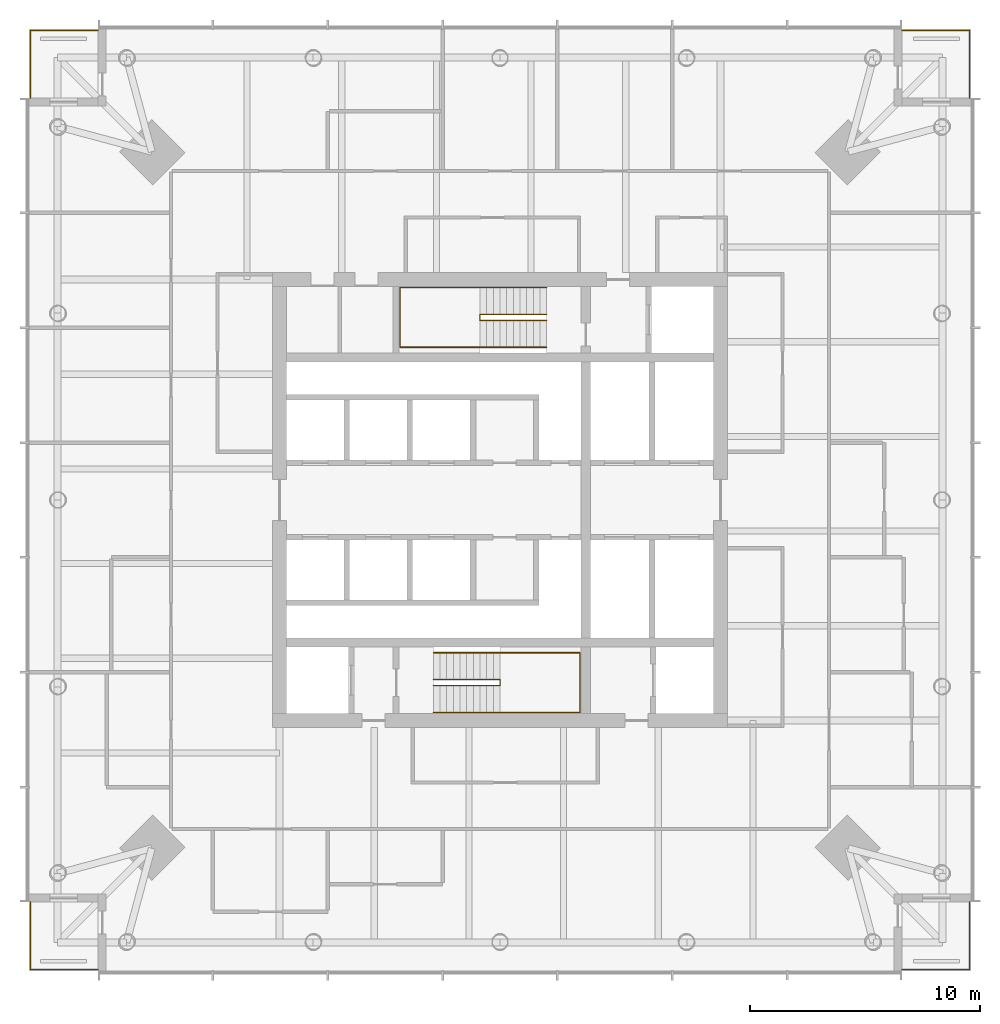
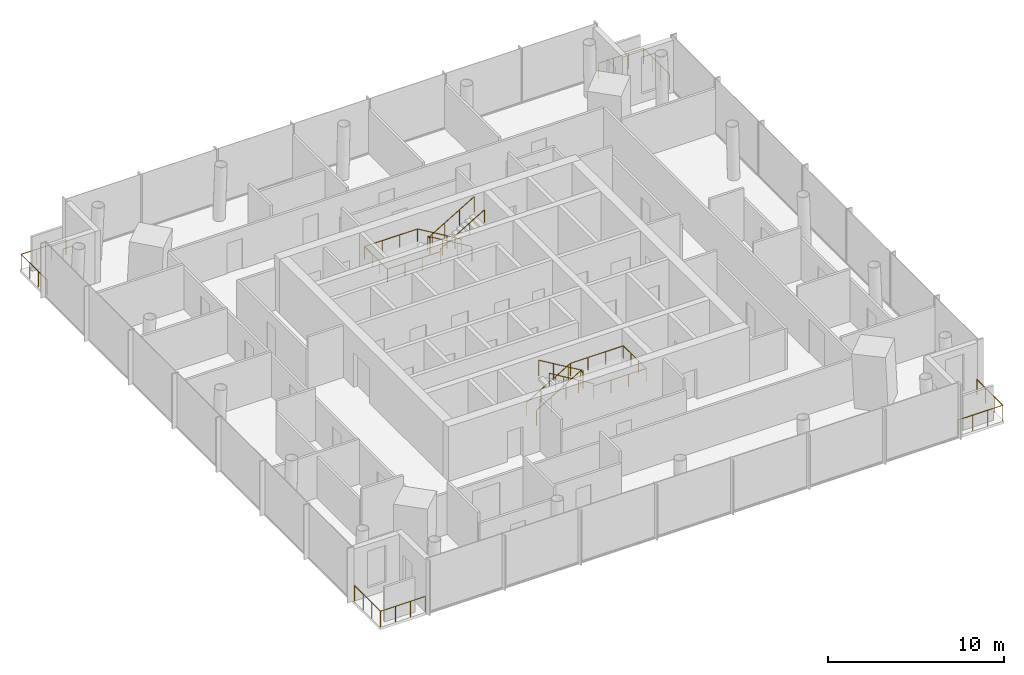
# One storey, part 8 of 8: 8 railings.
"""IFC4 building model written with IfcOpenShell, lengths in metres."""

from ifc_helpers import new_model, si_unit, direction, frame, origin, origin_2d, place, context, subcontext, project, spatial, circle, extrude, material, type_object, element, save


model = new_model("IFC4")

# Units and contexts
model_context = context("Model", 3, precision=1e-05, world=origin(), true_north=direction((0.0, 1.0)))
body_context = subcontext(model_context, "Body", "Model", "MODEL_VIEW")
ifc_project = project(units=[si_unit("LENGTHUNIT", "METRE"), si_unit("AREAUNIT", "SQUARE_METRE"), si_unit("VOLUMEUNIT", "CUBIC_METRE"), si_unit("PLANEANGLEUNIT", "RADIAN"), si_unit("MASSUNIT", "GRAM", prefix="KILO")], contexts=[model_context])

# Site, building, storey
site_placement = place(None, origin())
site = spatial("IfcSite", under=ifc_project, at=site_placement, CompositionType="ELEMENT")
building_placement = place(site_placement, origin())
building = spatial("IfcBuilding", under=site, at=building_placement, Name="Ostroluk Exchange", CompositionType="ELEMENT")
storey_placement = place(building_placement, frame((0.0, 0.0, 169.199951171875)))
storey = spatial("IfcBuildingStorey", under=building, at=storey_placement, Name="L43", CompositionType="ELEMENT", Elevation=169.199951171875)

# Railings
ifc_material_1 = material(Name="Stainless steel", Category="steel")
railing_type_1 = type_object("IfcRailingType", Name="Guard 1100 stainless steel", PredefinedType="GUARDRAIL", material=ifc_material_1)
railing_1_placement = place(storey_placement, frame((62.5, 25.550048828125, 0.0)))
element("IfcRailing", 1, at=railing_1_placement, inside=storey, type_object=railing_type_1, Name="Office tower SE balcony guard L43", PredefinedType="GUARDRAIL", context=body_context, shape_type="SweptSolid", body=[
    extrude(circle(Radius=0.02392578125, at=origin_2d()), frame((0.0, 0.0, 1.076171875), z_axis=(1.0, 0.0, 0.0), x_axis=(0.0, 1.0, 0.0)), (0.0, 0.0, 1.0), 2.949951171875),
    extrude(circle(Radius=0.02392578125, at=origin_2d()), frame((2.949951171875, 0.0, 1.076171875), z_axis=(0.0, 1.0, 0.0), x_axis=(-1.0, 0.0, 0.0)), (0.0, 0.0, 1.0), 2.949951171875),
    extrude(circle(Radius=0.02099609375, at=origin_2d()), origin(), (0.0, 0.0, 1.0), 1.052001953125),
    extrude(circle(Radius=0.02099609375, at=origin_2d()), frame((0.9833984375, 0.0, 0.0)), (0.0, 0.0, 1.0), 1.052001953125),
    extrude(circle(Radius=0.02099609375, at=origin_2d()), frame((1.966552734375, 0.0, 0.0)), (0.0, 0.0, 1.0), 1.052001953125),
    extrude(circle(Radius=0.02099609375, at=origin_2d()), frame((2.949951171875, 0.0, 0.0)), (0.0, 0.0, 1.0), 1.052001953125),
    extrude(circle(Radius=0.02099609375, at=origin_2d()), frame((2.949951171875, 0.9833984375, 0.0)), (0.0, 0.0, 1.0), 1.052001953125),
    extrude(circle(Radius=0.02099609375, at=origin_2d()), frame((2.949951171875, 1.966552734375, 0.0)), (0.0, 0.0, 1.0), 1.052001953125),
    extrude(circle(Radius=0.02099609375, at=origin_2d()), frame((2.949951171875, 2.949951171875, 0.0)), (0.0, 0.0, 1.0), 1.052001953125),
])
railing_2_placement = place(storey_placement, frame((62.5, 66.449951171875, 0.0)))
element("IfcRailing", 2, at=railing_2_placement, inside=storey, type_object=railing_type_1, Name="Office tower NE balcony guard L43", PredefinedType="GUARDRAIL", context=body_context, shape_type="SweptSolid", body=[
    extrude(circle(Radius=0.02392578125, at=origin_2d()), frame((0.0, 0.0, 1.076171875), z_axis=(1.0, 0.0, 0.0), x_axis=(0.0, 1.0, 0.0)), (0.0, 0.0, 1.0), 2.949951171875),
    extrude(circle(Radius=0.02392578125, at=origin_2d()), frame((2.949951171875, 0.0, 1.076171875), z_axis=(0.0, -1.0, 0.0), x_axis=(1.0, 0.0, 0.0)), (0.0, 0.0, 1.0), 2.949951171875),
    extrude(circle(Radius=0.02099609375, at=origin_2d()), origin(), (0.0, 0.0, 1.0), 1.052001953125),
    extrude(circle(Radius=0.02099609375, at=origin_2d()), frame((0.9833984375, 0.0, 0.0)), (0.0, 0.0, 1.0), 1.052001953125),
    extrude(circle(Radius=0.02099609375, at=origin_2d()), frame((1.966552734375, 0.0, 0.0)), (0.0, 0.0, 1.0), 1.052001953125),
    extrude(circle(Radius=0.02099609375, at=origin_2d()), frame((2.949951171875, 0.0, 0.0)), (0.0, 0.0, 1.0), 1.052001953125),
    extrude(circle(Radius=0.02099609375, at=origin_2d()), frame((2.949951171875, -0.9833984375, 0.0)), (0.0, 0.0, 1.0), 1.052001953125),
    extrude(circle(Radius=0.02099609375, at=origin_2d()), frame((2.949951171875, -1.966552734375, 0.0)), (0.0, 0.0, 1.0), 1.052001953125),
    extrude(circle(Radius=0.02099609375, at=origin_2d()), frame((2.949951171875, -2.949951171875, 0.0)), (0.0, 0.0, 1.0), 1.052001953125),
])
railing_3_placement = place(storey_placement, frame((27.5, 66.449951171875, 0.0)))
element("IfcRailing", 3, at=railing_3_placement, inside=storey, type_object=railing_type_1, Name="Office tower NW balcony guard L43", PredefinedType="GUARDRAIL", context=body_context, shape_type="SweptSolid", body=[
    extrude(circle(Radius=0.02392578125, at=origin_2d()), frame((0.0, 0.0, 1.076171875), z_axis=(-1.0, 0.0, 0.0), x_axis=(0.0, -1.0, 0.0)), (0.0, 0.0, 1.0), 2.949951171875),
    extrude(circle(Radius=0.02392578125, at=origin_2d()), frame((-2.949951171875, 0.0, 1.076171875), z_axis=(0.0, -1.0, 0.0), x_axis=(1.0, 0.0, 0.0)), (0.0, 0.0, 1.0), 2.949951171875),
    extrude(circle(Radius=0.02099609375, at=origin_2d()), origin(), (0.0, 0.0, 1.0), 1.052001953125),
    extrude(circle(Radius=0.02099609375, at=origin_2d()), frame((-0.9833984375, 0.0, 0.0)), (0.0, 0.0, 1.0), 1.052001953125),
    extrude(circle(Radius=0.02099609375, at=origin_2d()), frame((-1.966552734375, 0.0, 0.0)), (0.0, 0.0, 1.0), 1.052001953125),
    extrude(circle(Radius=0.02099609375, at=origin_2d()), frame((-2.949951171875, 0.0, 0.0)), (0.0, 0.0, 1.0), 1.052001953125),
    extrude(circle(Radius=0.02099609375, at=origin_2d()), frame((-2.949951171875, -0.9833984375, 0.0)), (0.0, 0.0, 1.0), 1.052001953125),
    extrude(circle(Radius=0.02099609375, at=origin_2d()), frame((-2.949951171875, -1.966552734375, 0.0)), (0.0, 0.0, 1.0), 1.052001953125),
    extrude(circle(Radius=0.02099609375, at=origin_2d()), frame((-2.949951171875, -2.949951171875, 0.0)), (0.0, 0.0, 1.0), 1.052001953125),
])
railing_4_placement = place(storey_placement, frame((27.5, 25.550048828125, 0.0)))
element("IfcRailing", 4, at=railing_4_placement, inside=storey, type_object=railing_type_1, Name="Office tower SW balcony guard L43", PredefinedType="GUARDRAIL", context=body_context, shape_type="SweptSolid", body=[
    extrude(circle(Radius=0.02392578125, at=origin_2d()), frame((0.0, 0.0, 1.076171875), z_axis=(-1.0, 0.0, 0.0), x_axis=(0.0, -1.0, 0.0)), (0.0, 0.0, 1.0), 2.949951171875),
    extrude(circle(Radius=0.02392578125, at=origin_2d()), frame((-2.949951171875, 0.0, 1.076171875), z_axis=(0.0, 1.0, 0.0), x_axis=(-1.0, 0.0, 0.0)), (0.0, 0.0, 1.0), 2.949951171875),
    extrude(circle(Radius=0.02099609375, at=origin_2d()), origin(), (0.0, 0.0, 1.0), 1.052001953125),
    extrude(circle(Radius=0.02099609375, at=origin_2d()), frame((-0.9833984375, 0.0, 0.0)), (0.0, 0.0, 1.0), 1.052001953125),
    extrude(circle(Radius=0.02099609375, at=origin_2d()), frame((-1.966552734375, 0.0, 0.0)), (0.0, 0.0, 1.0), 1.052001953125),
    extrude(circle(Radius=0.02099609375, at=origin_2d()), frame((-2.949951171875, 0.0, 0.0)), (0.0, 0.0, 1.0), 1.052001953125),
    extrude(circle(Radius=0.02099609375, at=origin_2d()), frame((-2.949951171875, 0.9833984375, 0.0)), (0.0, 0.0, 1.0), 1.052001953125),
    extrude(circle(Radius=0.02099609375, at=origin_2d()), frame((-2.949951171875, 1.966552734375, 0.0)), (0.0, 0.0, 1.0), 1.052001953125),
    extrude(circle(Radius=0.02099609375, at=origin_2d()), frame((-2.949951171875, 2.949951171875, 0.0)), (0.0, 0.0, 1.0), 1.052001953125),
])
ifc_material_2 = material(Name="Steel S355", Category="steel")
railing_type_2 = type_object("IfcRailingType", Name="Stair guard 1100", PredefinedType="GUARDRAIL", material=ifc_material_2)
railing_5_placement = place(storey_placement, frame((42.10009765625, 38.179931640625, 0.1728515625)))
element("IfcRailing", 5, at=railing_5_placement, inside=storey, type_object=railing_type_2, Name="Stair T1-S1 guard L43", PredefinedType="GUARDRAIL", context=body_context, shape_type="SweptSolid", body=[
    extrude(circle(Radius=0.02392578125, at=origin_2d()), frame((0.0, 0.0, 1.076171875), z_axis=(0.859141464434, 0.0, 0.511738159696), x_axis=(0.0, 1.0, 0.0)), (0.0, 0.0, 1.0), 3.375244140625),
    extrude(circle(Radius=0.02392578125, at=origin_2d()), frame((2.89990234375, 0.0, 2.80322265625), z_axis=(0.0, -1.0, 0.0), x_axis=(1.0, 0.0, 0.0)), (0.0, 0.0, 1.0), 0.260009765625),
    extrude(circle(Radius=0.02392578125, at=origin_2d()), frame((2.89990234375, -0.260009765625, 2.80322265625), z_axis=(0.0, 0.0, 1.0), x_axis=(1.0, 0.0, 0.0)), (0.0, 0.0, 1.0), 0.172607421875),
    extrude(circle(Radius=0.02392578125, at=origin_2d()), frame((2.89990234375, -0.260009765625, 2.97607421875), z_axis=(-0.859141464434, 0.0, 0.511738159696), x_axis=(0.0, -1.0, 0.0)), (0.0, 0.0, 1.0), 3.375244140625),
    extrude(circle(Radius=0.02099609375, at=origin_2d()), origin(), (0.0, 0.0, 1.0), 1.052001953125),
    extrude(circle(Radius=0.02099609375, at=origin_2d()), frame((0.966552734375, 0.0, 0.57568359375)), (0.0, 0.0, 1.0), 1.052001953125),
    extrude(circle(Radius=0.02099609375, at=origin_2d()), frame((1.933349609375, 0.0, 1.151611328125)), (0.0, 0.0, 1.0), 1.052001953125),
    extrude(circle(Radius=0.02099609375, at=origin_2d()), frame((2.89990234375, 0.0, 1.727294921875)), (0.0, 0.0, 1.0), 1.052001953125),
    extrude(circle(Radius=0.02099609375, at=origin_2d()), frame((2.89990234375, -0.260009765625, 1.727294921875)), (0.0, 0.0, 1.0), 1.052001953125),
    extrude(circle(Radius=0.02099609375, at=origin_2d()), frame((2.89990234375, -0.260009765625, 1.89990234375)), (0.0, 0.0, 1.0), 1.052001953125),
    extrude(circle(Radius=0.02099609375, at=origin_2d()), frame((1.933349609375, -0.260009765625, 2.4755859375)), (0.0, 0.0, 1.0), 1.052001953125),
    extrude(circle(Radius=0.02099609375, at=origin_2d()), frame((0.966552734375, -0.260009765625, 3.051513671875)), (0.0, 0.0, 1.0), 1.052001953125),
    extrude(circle(Radius=0.02099609375, at=origin_2d()), frame((0.0, -0.260009765625, 3.627197265625)), (0.0, 0.0, 1.0), 1.052001953125),
])
railing_6_placement = place(storey_placement, frame((47.030029296875, 54.080078125, 0.1728515625)))
element("IfcRailing", 6, at=railing_6_placement, inside=storey, type_object=railing_type_2, Name="Stair T1-S2 guard L43", PredefinedType="GUARDRAIL", context=body_context, shape_type="SweptSolid", body=[
    extrude(circle(Radius=0.02392578125, at=origin_2d()), frame((0.0, 0.0, 1.076171875), z_axis=(-0.859160404282, 0.0, 0.51170636083), x_axis=(0.0, -1.0, 0.0)), (0.0, 0.0, 1.0), 3.37548828125),
    extrude(circle(Radius=0.02392578125, at=origin_2d()), frame((-2.900146484375, 0.0, 2.80322265625), z_axis=(0.0, -1.0, 0.0), x_axis=(1.0, 0.0, 0.0)), (0.0, 0.0, 1.0), 0.260009765625),
    extrude(circle(Radius=0.02392578125, at=origin_2d()), frame((-2.900146484375, -0.260009765625, 2.80322265625), z_axis=(0.0, 0.0, 1.0), x_axis=(1.0, 0.0, 0.0)), (0.0, 0.0, 1.0), 0.172607421875),
    extrude(circle(Radius=0.02392578125, at=origin_2d()), frame((-2.900146484375, -0.260009765625, 2.97607421875), z_axis=(0.859160404282, 0.0, 0.51170636083), x_axis=(0.0, 1.0, 0.0)), (0.0, 0.0, 1.0), 3.37548828125),
    extrude(circle(Radius=0.02099609375, at=origin_2d()), origin(), (0.0, 0.0, 1.0), 1.052001953125),
    extrude(circle(Radius=0.02099609375, at=origin_2d()), frame((-0.966796875, 0.0, 0.57568359375)), (0.0, 0.0, 1.0), 1.052001953125),
    extrude(circle(Radius=0.02099609375, at=origin_2d()), frame((-1.933349609375, 0.0, 1.151611328125)), (0.0, 0.0, 1.0), 1.052001953125),
    extrude(circle(Radius=0.02099609375, at=origin_2d()), frame((-2.900146484375, 0.0, 1.727294921875)), (0.0, 0.0, 1.0), 1.052001953125),
    extrude(circle(Radius=0.02099609375, at=origin_2d()), frame((-2.900146484375, -0.260009765625, 1.727294921875)), (0.0, 0.0, 1.0), 1.052001953125),
    extrude(circle(Radius=0.02099609375, at=origin_2d()), frame((-2.900146484375, -0.260009765625, 1.89990234375)), (0.0, 0.0, 1.0), 1.052001953125),
    extrude(circle(Radius=0.02099609375, at=origin_2d()), frame((-1.933349609375, -0.260009765625, 2.4755859375)), (0.0, 0.0, 1.0), 1.052001953125),
    extrude(circle(Radius=0.02099609375, at=origin_2d()), frame((-0.966796875, -0.260009765625, 3.051513671875)), (0.0, 0.0, 1.0), 1.052001953125),
    extrude(circle(Radius=0.02099609375, at=origin_2d()), frame((0.0, -0.260009765625, 3.627197265625)), (0.0, 0.0, 1.0), 1.052001953125),
])
ifc_material_3 = material(Name="Stainless steel", Category="steel")
railing_type_3 = type_object("IfcRailingType", Name="Stair handrail 900", PredefinedType="HANDRAIL", material=ifc_material_3)
railing_7_placement = place(storey_placement, frame((42.10009765625, 39.35009765625, 0.1728515625)))
element("IfcRailing", 7, at=railing_7_placement, inside=storey, type_object=railing_type_3, Name="Stair T1-S1 handrail L43", PredefinedType="HANDRAIL", context=body_context, shape_type="SweptSolid", body=[
    extrude(circle(Radius=0.02392578125, at=origin_2d()), frame((0.0, 0.0, 0.8759765625), z_axis=(0.859141464434, 0.0, 0.511738159696), x_axis=(0.0, 1.0, 0.0)), (0.0, 0.0, 1.0), 3.375244140625),
    extrude(circle(Radius=0.02392578125, at=origin_2d()), frame((2.89990234375, 0.0, 2.60302734375), z_axis=(1.0, 0.0, 0.0), x_axis=(0.0, 1.0, 0.0)), (0.0, 0.0, 1.0), 3.47998046875),
    extrude(circle(Radius=0.02392578125, at=origin_2d()), frame((6.3798828125, 0.0, 2.60302734375), z_axis=(0.0, -1.0, 0.0), x_axis=(1.0, 0.0, 0.0)), (0.0, 0.0, 1.0), 2.60009765625),
    extrude(circle(Radius=0.02392578125, at=origin_2d()), frame((6.3798828125, -2.60009765625, 2.60302734375), z_axis=(-1.0, 0.0, 0.0), x_axis=(0.0, -1.0, 0.0)), (0.0, 0.0, 1.0), 3.47998046875),
    extrude(circle(Radius=0.02392578125, at=origin_2d()), frame((2.89990234375, -2.60009765625, 2.60302734375), z_axis=(0.0, 0.0, 1.0), x_axis=(1.0, 0.0, 0.0)), (0.0, 0.0, 1.0), 0.172607421875),
    extrude(circle(Radius=0.02392578125, at=origin_2d()), frame((2.89990234375, -2.60009765625, 2.77587890625), z_axis=(-0.859141464434, 0.0, 0.511738159696), x_axis=(0.0, -1.0, 0.0)), (0.0, 0.0, 1.0), 3.375244140625),
    extrude(circle(Radius=0.02099609375, at=origin_2d()), origin(), (0.0, 0.0, 1.0), 0.851806640625),
    extrude(circle(Radius=0.02099609375, at=origin_2d()), frame((0.966552734375, 0.0, 0.57568359375)), (0.0, 0.0, 1.0), 0.851806640625),
    extrude(circle(Radius=0.02099609375, at=origin_2d()), frame((1.933349609375, 0.0, 1.151611328125)), (0.0, 0.0, 1.0), 0.851806640625),
    extrude(circle(Radius=0.02099609375, at=origin_2d()), frame((2.89990234375, 0.0, 1.727294921875)), (0.0, 0.0, 1.0), 0.851806640625),
    extrude(circle(Radius=0.02099609375, at=origin_2d()), frame((4.059814453125, 0.0, 1.727294921875)), (0.0, 0.0, 1.0), 0.851806640625),
    extrude(circle(Radius=0.02099609375, at=origin_2d()), frame((5.219970703125, 0.0, 1.727294921875)), (0.0, 0.0, 1.0), 0.851806640625),
    extrude(circle(Radius=0.02099609375, at=origin_2d()), frame((6.3798828125, 0.0, 1.727294921875)), (0.0, 0.0, 1.0), 0.851806640625),
    extrude(circle(Radius=0.02099609375, at=origin_2d()), frame((6.3798828125, -0.86669921875, 1.727294921875)), (0.0, 0.0, 1.0), 0.851806640625),
    extrude(circle(Radius=0.02099609375, at=origin_2d()), frame((6.3798828125, -1.7333984375, 1.727294921875)), (0.0, 0.0, 1.0), 0.851806640625),
    extrude(circle(Radius=0.02099609375, at=origin_2d()), frame((6.3798828125, -2.60009765625, 1.727294921875)), (0.0, 0.0, 1.0), 0.851806640625),
    extrude(circle(Radius=0.02099609375, at=origin_2d()), frame((5.219970703125, -2.60009765625, 1.727294921875)), (0.0, 0.0, 1.0), 0.851806640625),
    extrude(circle(Radius=0.02099609375, at=origin_2d()), frame((4.059814453125, -2.60009765625, 1.727294921875)), (0.0, 0.0, 1.0), 0.851806640625),
    extrude(circle(Radius=0.02099609375, at=origin_2d()), frame((2.89990234375, -2.60009765625, 1.727294921875)), (0.0, 0.0, 1.0), 0.851806640625),
    extrude(circle(Radius=0.02099609375, at=origin_2d()), frame((2.89990234375, -2.60009765625, 1.89990234375)), (0.0, 0.0, 1.0), 0.851806640625),
    extrude(circle(Radius=0.02099609375, at=origin_2d()), frame((1.933349609375, -2.60009765625, 2.4755859375)), (0.0, 0.0, 1.0), 0.851806640625),
    extrude(circle(Radius=0.02099609375, at=origin_2d()), frame((0.966552734375, -2.60009765625, 3.051513671875)), (0.0, 0.0, 1.0), 0.851806640625),
    extrude(circle(Radius=0.02099609375, at=origin_2d()), frame((0.0, -2.60009765625, 3.627197265625)), (0.0, 0.0, 1.0), 0.851806640625),
])
railing_8_placement = place(storey_placement, frame((47.030029296875, 55.25, 0.1728515625)))
element("IfcRailing", 8, at=railing_8_placement, inside=storey, type_object=railing_type_3, Name="Stair T1-S2 handrail L43", PredefinedType="HANDRAIL", context=body_context, shape_type="SweptSolid", body=[
    extrude(circle(Radius=0.02392578125, at=origin_2d()), frame((0.0, 0.0, 0.8759765625), z_axis=(-0.859160404282, 0.0, 0.51170636083), x_axis=(0.0, -1.0, 0.0)), (0.0, 0.0, 1.0), 3.37548828125),
    extrude(circle(Radius=0.02392578125, at=origin_2d()), frame((-2.900146484375, 0.0, 2.60302734375), z_axis=(-1.0, 0.0, 0.0), x_axis=(0.0, -1.0, 0.0)), (0.0, 0.0, 1.0), 3.47998046875),
    extrude(circle(Radius=0.02392578125, at=origin_2d()), frame((-6.380126953125, 0.0, 2.60302734375), z_axis=(0.0, -1.0, 0.0), x_axis=(1.0, 0.0, 0.0)), (0.0, 0.0, 1.0), 2.60009765625),
    extrude(circle(Radius=0.02392578125, at=origin_2d()), frame((-6.380126953125, -2.60009765625, 2.60302734375), z_axis=(1.0, 0.0, 0.0), x_axis=(0.0, 1.0, 0.0)), (0.0, 0.0, 1.0), 3.47998046875),
    extrude(circle(Radius=0.02392578125, at=origin_2d()), frame((-2.900146484375, -2.60009765625, 2.60302734375), z_axis=(0.0, 0.0, 1.0), x_axis=(1.0, 0.0, 0.0)), (0.0, 0.0, 1.0), 0.172607421875),
    extrude(circle(Radius=0.02392578125, at=origin_2d()), frame((-2.900146484375, -2.60009765625, 2.77587890625), z_axis=(0.859160404282, 0.0, 0.51170636083), x_axis=(0.0, 1.0, 0.0)), (0.0, 0.0, 1.0), 3.37548828125),
    extrude(circle(Radius=0.02099609375, at=origin_2d()), origin(), (0.0, 0.0, 1.0), 0.851806640625),
    extrude(circle(Radius=0.02099609375, at=origin_2d()), frame((-0.966796875, 0.0, 0.57568359375)), (0.0, 0.0, 1.0), 0.851806640625),
    extrude(circle(Radius=0.02099609375, at=origin_2d()), frame((-1.933349609375, 0.0, 1.151611328125)), (0.0, 0.0, 1.0), 0.851806640625),
    extrude(circle(Radius=0.02099609375, at=origin_2d()), frame((-2.900146484375, 0.0, 1.727294921875)), (0.0, 0.0, 1.0), 0.851806640625),
    extrude(circle(Radius=0.02099609375, at=origin_2d()), frame((-4.06005859375, 0.0, 1.727294921875)), (0.0, 0.0, 1.0), 0.851806640625),
    extrude(circle(Radius=0.02099609375, at=origin_2d()), frame((-5.22021484375, 0.0, 1.727294921875)), (0.0, 0.0, 1.0), 0.851806640625),
    extrude(circle(Radius=0.02099609375, at=origin_2d()), frame((-6.380126953125, 0.0, 1.727294921875)), (0.0, 0.0, 1.0), 0.851806640625),
    extrude(circle(Radius=0.02099609375, at=origin_2d()), frame((-6.380126953125, -0.86669921875, 1.727294921875)), (0.0, 0.0, 1.0), 0.851806640625),
    extrude(circle(Radius=0.02099609375, at=origin_2d()), frame((-6.380126953125, -1.7333984375, 1.727294921875)), (0.0, 0.0, 1.0), 0.851806640625),
    extrude(circle(Radius=0.02099609375, at=origin_2d()), frame((-6.380126953125, -2.60009765625, 1.727294921875)), (0.0, 0.0, 1.0), 0.851806640625),
    extrude(circle(Radius=0.02099609375, at=origin_2d()), frame((-5.22021484375, -2.60009765625, 1.727294921875)), (0.0, 0.0, 1.0), 0.851806640625),
    extrude(circle(Radius=0.02099609375, at=origin_2d()), frame((-4.06005859375, -2.60009765625, 1.727294921875)), (0.0, 0.0, 1.0), 0.851806640625),
    extrude(circle(Radius=0.02099609375, at=origin_2d()), frame((-2.900146484375, -2.60009765625, 1.727294921875)), (0.0, 0.0, 1.0), 0.851806640625),
    extrude(circle(Radius=0.02099609375, at=origin_2d()), frame((-2.900146484375, -2.60009765625, 1.89990234375)), (0.0, 0.0, 1.0), 0.851806640625),
    extrude(circle(Radius=0.02099609375, at=origin_2d()), frame((-1.933349609375, -2.60009765625, 2.4755859375)), (0.0, 0.0, 1.0), 0.851806640625),
    extrude(circle(Radius=0.02099609375, at=origin_2d()), frame((-0.966796875, -2.60009765625, 3.051513671875)), (0.0, 0.0, 1.0), 0.851806640625),
    extrude(circle(Radius=0.02099609375, at=origin_2d()), frame((0.0, -2.60009765625, 3.627197265625)), (0.0, 0.0, 1.0), 0.851806640625),
])

save(model, "model.ifc")
